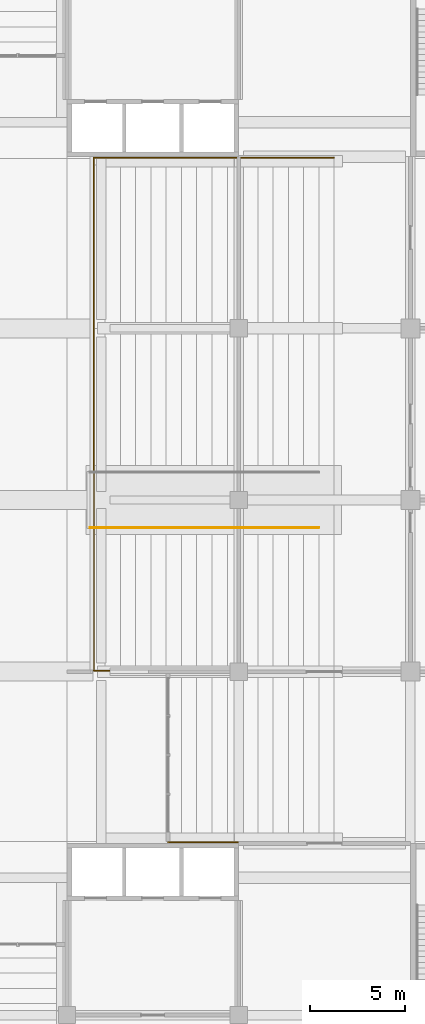
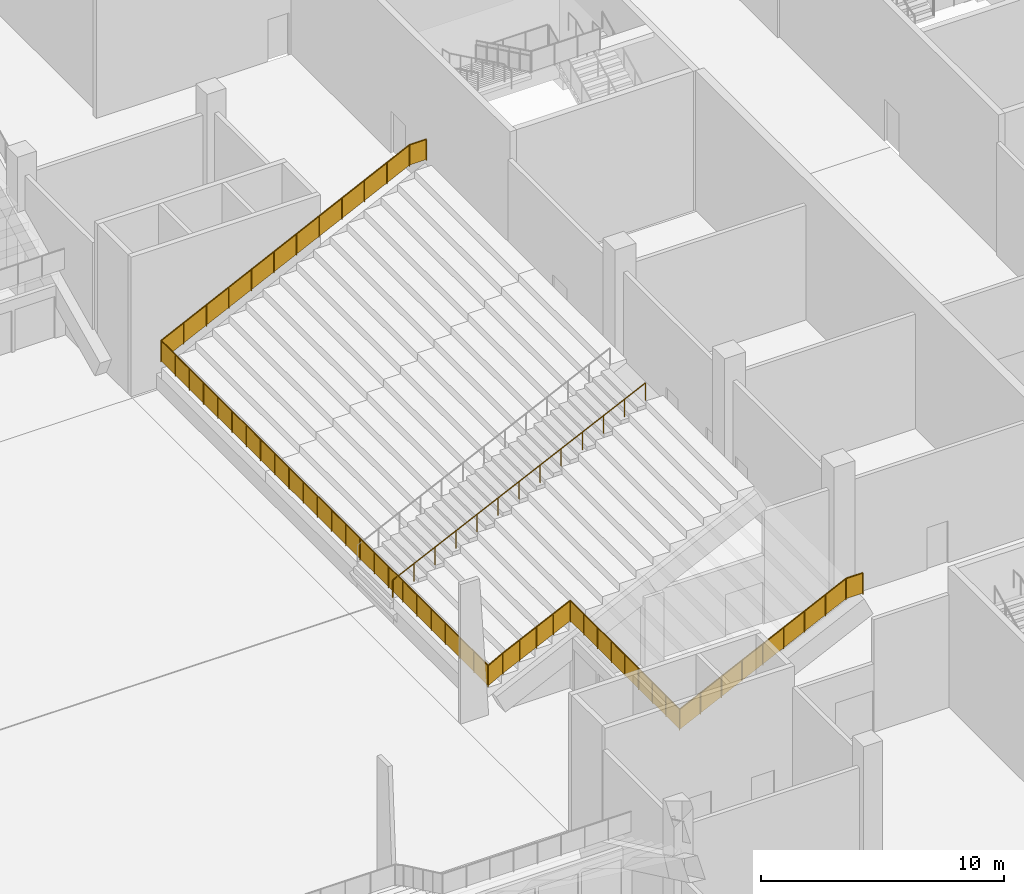
# One storey, part 76 of 92: 2 railings.
"""IFC4 building model written with IfcOpenShell, lengths in metres."""

from ifc_helpers import new_model, si_unit, direction, frame, origin, origin_2d, place, context, subcontext, project, spatial, polyline, circle, outline, extrude, material, type_object, element, save


model = new_model("IFC4")

# Units and contexts
model_context = context("Model", 3, precision=1e-05, world=origin(), true_north=direction((0.0, 1.0)))
body_context = subcontext(model_context, "Body", "Model", "MODEL_VIEW")
ifc_project = project(units=[si_unit("LENGTHUNIT", "METRE"), si_unit("AREAUNIT", "SQUARE_METRE"), si_unit("VOLUMEUNIT", "CUBIC_METRE"), si_unit("PLANEANGLEUNIT", "RADIAN"), si_unit("MASSUNIT", "GRAM", prefix="KILO")], contexts=[model_context])

# Site, building, storey
site_placement = place(None, origin())
site = spatial("IfcSite", under=ifc_project, at=site_placement, CompositionType="ELEMENT")
building_placement = place(site_placement, origin())
building = spatial("IfcBuilding", under=site, at=building_placement, Name="Silverbay Arena", CompositionType="ELEMENT")
storey_placement = place(building_placement, origin())
storey = spatial("IfcBuildingStorey", under=building, at=storey_placement, Name="L00", CompositionType="ELEMENT", Elevation=0.0)

# Railings
ifc_material_1 = material(Name="Stainless steel", Category="steel")
railing_type_1 = type_object("IfcRailingType", Name="Crowd barrier 1100", PredefinedType="GUARDRAIL", material=ifc_material_1)
railing_1_placement = place(storey_placement, frame((176.0, 63.050048828125, 7.0)))
element("IfcRailing", 1, at=railing_1_placement, inside=storey, type_object=railing_type_1, Name="Crowd barrier East stand lower tier", PredefinedType="GUARDRAIL", context=body_context, shape_type="SweptSolid", body=[
    extrude(circle(Radius=0.02392578125, at=origin_2d()), frame((0.0, 0.0, 1.076171875), z_axis=(-1.0, 0.0, 0.0), x_axis=(0.0, -1.0, 0.0)), (0.0, 0.0, 1.0), 0.800048828125),
    extrude(outline(polyline([(-0.008056640625, 0.050048828125), (0.80810546875, 0.050048828125), (0.80810546875, 1.052978515625), (-0.008056640625, 1.052978515625), (-0.008056640625, 0.050048828125)])), frame((0.0, -0.0029296875, 0.0), z_axis=(0.0, 1.0, 0.0), x_axis=(-1.0, 0.0, 0.0)), (0.0, 0.0, 1.0), 0.006103515625),
    extrude(circle(Radius=0.02392578125, at=origin_2d()), frame((-0.800048828125, 0.0, 1.076171875), z_axis=(-0.901162472731, 0.0, -0.433481484889), x_axis=(0.0, -1.0, 0.0)), (0.0, 0.0, 1.0), 8.766357421875),
    extrude(outline(polyline([(-0.008056640625, 0.053955078125), (0.99560546875, -0.428955078125), (0.99560546875, 0.57421875), (-0.008056640625, 1.056884765625), (-0.008056640625, 0.053955078125)])), frame((-0.800048828125, -0.0029296875, 0.0), z_axis=(0.0, 1.0, 0.0), x_axis=(-1.0, 0.0, 0.0)), (0.0, 0.0, 1.0), 0.006103515625),
    extrude(outline(polyline([(-0.008056640625, -0.421142578125), (0.99560546875, -0.90380859375), (0.99560546875, 0.09912109375), (-0.008056640625, 0.581787109375), (-0.008056640625, -0.421142578125)])), frame((-1.78759765625, -0.0029296875, 0.0), z_axis=(0.0, 1.0, 0.0), x_axis=(-1.0, 0.0, 0.0)), (0.0, 0.0, 1.0), 0.006103515625),
    extrude(outline(polyline([(-0.008056640625, -0.896240234375), (0.99560546875, -1.37890625), (0.99560546875, -0.3759765625), (-0.008056640625, 0.10693359375), (-0.008056640625, -0.896240234375)])), frame((-2.77490234375, -0.0029296875, 0.0), z_axis=(0.0, 1.0, 0.0), x_axis=(-1.0, 0.0, 0.0)), (0.0, 0.0, 1.0), 0.006103515625),
    extrude(outline(polyline([(-0.008056640625, -1.37109375), (0.99560546875, -1.853759765625), (0.99560546875, -0.850830078125), (-0.008056640625, -0.3681640625), (-0.008056640625, -1.37109375)])), frame((-3.762451171875, -0.0029296875, 0.0), z_axis=(0.0, 1.0, 0.0), x_axis=(-1.0, 0.0, 0.0)), (0.0, 0.0, 1.0), 0.006103515625),
    extrude(outline(polyline([(-0.008056640625, -1.84619140625), (0.99560546875, -2.328857421875), (0.99560546875, -1.325927734375), (-0.008056640625, -0.84326171875), (-0.008056640625, -1.84619140625)])), frame((-4.75, -0.0029296875, 0.0), z_axis=(0.0, 1.0, 0.0), x_axis=(-1.0, 0.0, 0.0)), (0.0, 0.0, 1.0), 0.006103515625),
    extrude(outline(polyline([(-0.008056640625, -2.3212890625), (0.99560546875, -2.803955078125), (0.99560546875, -1.80078125), (-0.008056640625, -1.318115234375), (-0.008056640625, -2.3212890625)])), frame((-5.737548828125, -0.0029296875, 0.0), z_axis=(0.0, 1.0, 0.0), x_axis=(-1.0, 0.0, 0.0)), (0.0, 0.0, 1.0), 0.006103515625),
    extrude(outline(polyline([(-0.008056640625, -2.796142578125), (0.99560546875, -3.27880859375), (0.99560546875, -2.27587890625), (-0.008056640625, -1.793212890625), (-0.008056640625, -2.796142578125)])), frame((-6.72509765625, -0.0029296875, 0.0), z_axis=(0.0, 1.0, 0.0), x_axis=(-1.0, 0.0, 0.0)), (0.0, 0.0, 1.0), 0.006103515625),
    extrude(outline(polyline([(-0.008056640625, -3.271240234375), (0.99560546875, -3.75390625), (0.99560546875, -2.7509765625), (-0.008056640625, -2.268310546875), (-0.008056640625, -3.271240234375)])), frame((-7.71240234375, -0.0029296875, 0.0), z_axis=(0.0, 1.0, 0.0), x_axis=(-1.0, 0.0, 0.0)), (0.0, 0.0, 1.0), 0.006103515625),
    extrude(circle(Radius=0.02392578125, at=origin_2d()), frame((-8.699951171875, 0.0, -2.72412109375), z_axis=(0.0, 1.0, 0.0), x_axis=(-1.0, 0.0, 0.0)), (0.0, 0.0, 1.0), 9.0),
    extrude(outline(polyline([(-0.008056640625, -3.75), (1.133056640625, -3.75), (1.133056640625, -2.7470703125), (-0.008056640625, -2.7470703125), (-0.008056640625, -3.75)])), frame((-8.702880859375, 0.0, 0.0), z_axis=(1.0, 0.0, 0.0), x_axis=(0.0, 1.0, 0.0)), (0.0, 0.0, 1.0), 0.006103515625),
    extrude(outline(polyline([(-0.008056640625, -3.75), (1.133056640625, -3.75), (1.133056640625, -2.7470703125), (-0.008056640625, -2.7470703125), (-0.008056640625, -3.75)])), frame((-8.702880859375, 1.125, 0.0), z_axis=(1.0, 0.0, 0.0), x_axis=(0.0, 1.0, 0.0)), (0.0, 0.0, 1.0), 0.006103515625),
    extrude(outline(polyline([(-0.008056640625, -3.75), (1.133056640625, -3.75), (1.133056640625, -2.7470703125), (-0.008056640625, -2.7470703125), (-0.008056640625, -3.75)])), frame((-8.702880859375, 2.25, 0.0), z_axis=(1.0, 0.0, 0.0), x_axis=(0.0, 1.0, 0.0)), (0.0, 0.0, 1.0), 0.006103515625),
    extrude(outline(polyline([(-0.008056640625, -3.75), (1.133056640625, -3.75), (1.133056640625, -2.7470703125), (-0.008056640625, -2.7470703125), (-0.008056640625, -3.75)])), frame((-8.702880859375, 3.375, 0.0), z_axis=(1.0, 0.0, 0.0), x_axis=(0.0, 1.0, 0.0)), (0.0, 0.0, 1.0), 0.006103515625),
    extrude(outline(polyline([(-0.008056640625, -3.75), (1.133056640625, -3.75), (1.133056640625, -2.7470703125), (-0.008056640625, -2.7470703125), (-0.008056640625, -3.75)])), frame((-8.702880859375, 4.5, 0.0), z_axis=(1.0, 0.0, 0.0), x_axis=(0.0, 1.0, 0.0)), (0.0, 0.0, 1.0), 0.006103515625),
    extrude(outline(polyline([(-0.008056640625, -3.75), (1.133056640625, -3.75), (1.133056640625, -2.7470703125), (-0.008056640625, -2.7470703125), (-0.008056640625, -3.75)])), frame((-8.702880859375, 5.625, 0.0), z_axis=(1.0, 0.0, 0.0), x_axis=(0.0, 1.0, 0.0)), (0.0, 0.0, 1.0), 0.006103515625),
    extrude(outline(polyline([(-0.008056640625, -3.75), (1.133056640625, -3.75), (1.133056640625, -2.7470703125), (-0.008056640625, -2.7470703125), (-0.008056640625, -3.75)])), frame((-8.702880859375, 6.75, 0.0), z_axis=(1.0, 0.0, 0.0), x_axis=(0.0, 1.0, 0.0)), (0.0, 0.0, 1.0), 0.006103515625),
    extrude(outline(polyline([(-0.008056640625, -3.75), (1.133056640625, -3.75), (1.133056640625, -2.7470703125), (-0.008056640625, -2.7470703125), (-0.008056640625, -3.75)])), frame((-8.702880859375, 7.875, 0.0), z_axis=(1.0, 0.0, 0.0), x_axis=(0.0, 1.0, 0.0)), (0.0, 0.0, 1.0), 0.006103515625),
    extrude(circle(Radius=0.02392578125, at=origin_2d()), frame((-8.699951171875, 9.0, -2.72412109375), z_axis=(-0.903338924758, 0.0, -0.428927484566), x_axis=(0.0, -1.0, 0.0)), (0.0, 0.0, 1.0), 0.8857421875),
    extrude(outline(polyline([(-0.008056640625, -3.746337890625), (0.80810546875, -4.1337890625), (0.80810546875, -3.130615234375), (-0.008056640625, -2.7431640625), (-0.008056640625, -3.746337890625)])), frame((-8.699951171875, 8.9970703125, 0.0), z_axis=(0.0, 1.0, 0.0), x_axis=(-1.0, 0.0, 0.0)), (0.0, 0.0, 1.0), 0.006103515625),
    extrude(circle(Radius=0.02392578125, at=origin_2d()), frame((-9.5, 9.0, -3.10400390625), z_axis=(-0.903232100134, 0.0, -0.429152389353), x_axis=(0.0, -1.0, 0.0)), (0.0, 0.0, 1.0), 0.8857421875),
    extrude(outline(polyline([(-0.008056640625, -4.126220703125), (0.80810546875, -4.513916015625), (0.80810546875, -3.5107421875), (-0.008056640625, -3.123046875), (-0.008056640625, -4.126220703125)])), frame((-9.5, 8.9970703125, 0.0), z_axis=(0.0, 1.0, 0.0), x_axis=(-1.0, 0.0, 0.0)), (0.0, 0.0, 1.0), 0.006103515625),
    extrude(circle(Radius=0.02392578125, at=origin_2d()), frame((-10.300048828125, 9.0, -3.48388671875), z_axis=(-0.903338924758, 0.0, -0.428927484566), x_axis=(0.0, -1.0, 0.0)), (0.0, 0.0, 1.0), 0.8857421875),
    extrude(outline(polyline([(-0.008056640625, -4.50634765625), (0.80810546875, -4.893798828125), (0.80810546875, -3.890625), (-0.008056640625, -3.503173828125), (-0.008056640625, -4.50634765625)])), frame((-10.300048828125, 8.9970703125, 0.0), z_axis=(0.0, 1.0, 0.0), x_axis=(-1.0, 0.0, 0.0)), (0.0, 0.0, 1.0), 0.006103515625),
    extrude(circle(Radius=0.02392578125, at=origin_2d()), frame((-11.10009765625, 9.0, -3.86376953125), z_axis=(-0.903181318322, 0.0, -0.429259252939), x_axis=(0.0, -1.0, 0.0)), (0.0, 0.0, 1.0), 0.885498046875),
    extrude(outline(polyline([(-0.008056640625, -4.88623046875), (0.807861328125, -5.27392578125), (0.807861328125, -4.270751953125), (-0.008056640625, -3.883056640625), (-0.008056640625, -4.88623046875)])), frame((-11.10009765625, 8.9970703125, 0.0), z_axis=(0.0, 1.0, 0.0), x_axis=(-1.0, 0.0, 0.0)), (0.0, 0.0, 1.0), 0.006103515625),
    extrude(circle(Radius=0.02392578125, at=origin_2d()), frame((-11.89990234375, 9.0, -4.244140625), z_axis=(-0.878970893621, 0.0, -0.476875422062), x_axis=(0.0, -1.0, 0.0)), (0.0, 0.0, 1.0), 0.796630859375),
    extrude(outline(polyline([(-0.008056640625, -5.265625), (0.708251953125, -5.654296875), (0.708251953125, -4.6513671875), (-0.008056640625, -4.2626953125), (-0.008056640625, -5.265625)])), frame((-11.89990234375, 8.9970703125, 0.0), z_axis=(0.0, 1.0, 0.0), x_axis=(-1.0, 0.0, 0.0)), (0.0, 0.0, 1.0), 0.006103515625),
    extrude(circle(Radius=0.02392578125, at=origin_2d()), frame((-12.60009765625, 9.0, -4.6240234375), z_axis=(0.0, 1.0, 0.0), x_axis=(-1.0, 0.0, 0.0)), (0.0, 0.0, 1.0), 26.89990234375),
    extrude(outline(polyline([(-0.008056640625, -5.64990234375), (1.177490234375, -5.64990234375), (1.177490234375, -4.64697265625), (-0.008056640625, -4.64697265625), (-0.008056640625, -5.64990234375)])), frame((-12.60302734375, 9.0, 0.0), z_axis=(1.0, 0.0, 0.0), x_axis=(0.0, 1.0, 0.0)), (0.0, 0.0, 1.0), 0.006103515625),
    extrude(outline(polyline([(-0.008056640625, -5.64990234375), (1.177490234375, -5.64990234375), (1.177490234375, -4.64697265625), (-0.008056640625, -4.64697265625), (-0.008056640625, -5.64990234375)])), frame((-12.60302734375, 10.169677734375, 0.0), z_axis=(1.0, 0.0, 0.0), x_axis=(0.0, 1.0, 0.0)), (0.0, 0.0, 1.0), 0.006103515625),
    extrude(outline(polyline([(-0.008056640625, -5.64990234375), (1.177490234375, -5.64990234375), (1.177490234375, -4.64697265625), (-0.008056640625, -4.64697265625), (-0.008056640625, -5.64990234375)])), frame((-12.60302734375, 11.339111328125, 0.0), z_axis=(1.0, 0.0, 0.0), x_axis=(0.0, 1.0, 0.0)), (0.0, 0.0, 1.0), 0.006103515625),
    extrude(outline(polyline([(-0.008056640625, -5.64990234375), (1.177490234375, -5.64990234375), (1.177490234375, -4.64697265625), (-0.008056640625, -4.64697265625), (-0.008056640625, -5.64990234375)])), frame((-12.60302734375, 12.5087890625, 0.0), z_axis=(1.0, 0.0, 0.0), x_axis=(0.0, 1.0, 0.0)), (0.0, 0.0, 1.0), 0.006103515625),
    extrude(outline(polyline([(-0.008056640625, -5.64990234375), (1.177490234375, -5.64990234375), (1.177490234375, -4.64697265625), (-0.008056640625, -4.64697265625), (-0.008056640625, -5.64990234375)])), frame((-12.60302734375, 13.67822265625, 0.0), z_axis=(1.0, 0.0, 0.0), x_axis=(0.0, 1.0, 0.0)), (0.0, 0.0, 1.0), 0.006103515625),
    extrude(outline(polyline([(-0.008056640625, -5.64990234375), (1.177490234375, -5.64990234375), (1.177490234375, -4.64697265625), (-0.008056640625, -4.64697265625), (-0.008056640625, -5.64990234375)])), frame((-12.60302734375, 14.847900390625, 0.0), z_axis=(1.0, 0.0, 0.0), x_axis=(0.0, 1.0, 0.0)), (0.0, 0.0, 1.0), 0.006103515625),
    extrude(outline(polyline([(-0.008056640625, -5.64990234375), (1.177490234375, -5.64990234375), (1.177490234375, -4.64697265625), (-0.008056640625, -4.64697265625), (-0.008056640625, -5.64990234375)])), frame((-12.60302734375, 16.017333984375, 0.0), z_axis=(1.0, 0.0, 0.0), x_axis=(0.0, 1.0, 0.0)), (0.0, 0.0, 1.0), 0.006103515625),
    extrude(outline(polyline([(-0.008056640625, -5.64990234375), (1.177490234375, -5.64990234375), (1.177490234375, -4.64697265625), (-0.008056640625, -4.64697265625), (-0.008056640625, -5.64990234375)])), frame((-12.60302734375, 17.18701171875, 0.0), z_axis=(1.0, 0.0, 0.0), x_axis=(0.0, 1.0, 0.0)), (0.0, 0.0, 1.0), 0.006103515625),
    extrude(outline(polyline([(-0.008056640625, -5.64990234375), (1.177490234375, -5.64990234375), (1.177490234375, -4.64697265625), (-0.008056640625, -4.64697265625), (-0.008056640625, -5.64990234375)])), frame((-12.60302734375, 18.3564453125, 0.0), z_axis=(1.0, 0.0, 0.0), x_axis=(0.0, 1.0, 0.0)), (0.0, 0.0, 1.0), 0.006103515625),
    extrude(outline(polyline([(-0.008056640625, -5.64990234375), (1.177490234375, -5.64990234375), (1.177490234375, -4.64697265625), (-0.008056640625, -4.64697265625), (-0.008056640625, -5.64990234375)])), frame((-12.60302734375, 19.526123046875, 0.0), z_axis=(1.0, 0.0, 0.0), x_axis=(0.0, 1.0, 0.0)), (0.0, 0.0, 1.0), 0.006103515625),
    extrude(outline(polyline([(-0.008056640625, -5.64990234375), (1.177490234375, -5.64990234375), (1.177490234375, -4.64697265625), (-0.008056640625, -4.64697265625), (-0.008056640625, -5.64990234375)])), frame((-12.60302734375, 20.695556640625, 0.0), z_axis=(1.0, 0.0, 0.0), x_axis=(0.0, 1.0, 0.0)), (0.0, 0.0, 1.0), 0.006103515625),
    extrude(outline(polyline([(-0.008056640625, -5.64990234375), (1.177490234375, -5.64990234375), (1.177490234375, -4.64697265625), (-0.008056640625, -4.64697265625), (-0.008056640625, -5.64990234375)])), frame((-12.60302734375, 21.865234375, 0.0), z_axis=(1.0, 0.0, 0.0), x_axis=(0.0, 1.0, 0.0)), (0.0, 0.0, 1.0), 0.006103515625),
    extrude(outline(polyline([(-0.008056640625, -5.64990234375), (1.177490234375, -5.64990234375), (1.177490234375, -4.64697265625), (-0.008056640625, -4.64697265625), (-0.008056640625, -5.64990234375)])), frame((-12.60302734375, 23.03466796875, 0.0), z_axis=(1.0, 0.0, 0.0), x_axis=(0.0, 1.0, 0.0)), (0.0, 0.0, 1.0), 0.006103515625),
    extrude(outline(polyline([(-0.008056640625, -5.64990234375), (1.177490234375, -5.64990234375), (1.177490234375, -4.64697265625), (-0.008056640625, -4.64697265625), (-0.008056640625, -5.64990234375)])), frame((-12.60302734375, 24.204345703125, 0.0), z_axis=(1.0, 0.0, 0.0), x_axis=(0.0, 1.0, 0.0)), (0.0, 0.0, 1.0), 0.006103515625),
    extrude(outline(polyline([(-0.008056640625, -5.64990234375), (1.177490234375, -5.64990234375), (1.177490234375, -4.64697265625), (-0.008056640625, -4.64697265625), (-0.008056640625, -5.64990234375)])), frame((-12.60302734375, 25.373779296875, 0.0), z_axis=(1.0, 0.0, 0.0), x_axis=(0.0, 1.0, 0.0)), (0.0, 0.0, 1.0), 0.006103515625),
    extrude(outline(polyline([(-0.008056640625, -5.64990234375), (1.177490234375, -5.64990234375), (1.177490234375, -4.64697265625), (-0.008056640625, -4.64697265625), (-0.008056640625, -5.64990234375)])), frame((-12.60302734375, 26.54345703125, 0.0), z_axis=(1.0, 0.0, 0.0), x_axis=(0.0, 1.0, 0.0)), (0.0, 0.0, 1.0), 0.006103515625),
    extrude(outline(polyline([(-0.008056640625, -5.64990234375), (1.177490234375, -5.64990234375), (1.177490234375, -4.64697265625), (-0.008056640625, -4.64697265625), (-0.008056640625, -5.64990234375)])), frame((-12.60302734375, 27.712890625, 0.0), z_axis=(1.0, 0.0, 0.0), x_axis=(0.0, 1.0, 0.0)), (0.0, 0.0, 1.0), 0.006103515625),
    extrude(outline(polyline([(-0.008056640625, -5.64990234375), (1.177490234375, -5.64990234375), (1.177490234375, -4.64697265625), (-0.008056640625, -4.64697265625), (-0.008056640625, -5.64990234375)])), frame((-12.60302734375, 28.882568359375, 0.0), z_axis=(1.0, 0.0, 0.0), x_axis=(0.0, 1.0, 0.0)), (0.0, 0.0, 1.0), 0.006103515625),
    extrude(outline(polyline([(-0.008056640625, -5.64990234375), (1.177490234375, -5.64990234375), (1.177490234375, -4.64697265625), (-0.008056640625, -4.64697265625), (-0.008056640625, -5.64990234375)])), frame((-12.60302734375, 30.052001953125, 0.0), z_axis=(1.0, 0.0, 0.0), x_axis=(0.0, 1.0, 0.0)), (0.0, 0.0, 1.0), 0.006103515625),
    extrude(outline(polyline([(-0.008056640625, -5.64990234375), (1.177490234375, -5.64990234375), (1.177490234375, -4.64697265625), (-0.008056640625, -4.64697265625), (-0.008056640625, -5.64990234375)])), frame((-12.60302734375, 31.2216796875, 0.0), z_axis=(1.0, 0.0, 0.0), x_axis=(0.0, 1.0, 0.0)), (0.0, 0.0, 1.0), 0.006103515625),
    extrude(outline(polyline([(-0.008056640625, -5.64990234375), (1.177490234375, -5.64990234375), (1.177490234375, -4.64697265625), (-0.008056640625, -4.64697265625), (-0.008056640625, -5.64990234375)])), frame((-12.60302734375, 32.39111328125, 0.0), z_axis=(1.0, 0.0, 0.0), x_axis=(0.0, 1.0, 0.0)), (0.0, 0.0, 1.0), 0.006103515625),
    extrude(outline(polyline([(-0.008056640625, -5.64990234375), (1.177490234375, -5.64990234375), (1.177490234375, -4.64697265625), (-0.008056640625, -4.64697265625), (-0.008056640625, -5.64990234375)])), frame((-12.60302734375, 33.560791015625, 0.0), z_axis=(1.0, 0.0, 0.0), x_axis=(0.0, 1.0, 0.0)), (0.0, 0.0, 1.0), 0.006103515625),
    extrude(outline(polyline([(-0.008056640625, -5.64990234375), (1.177490234375, -5.64990234375), (1.177490234375, -4.64697265625), (-0.008056640625, -4.64697265625), (-0.008056640625, -5.64990234375)])), frame((-12.60302734375, 34.730224609375, 0.0), z_axis=(1.0, 0.0, 0.0), x_axis=(0.0, 1.0, 0.0)), (0.0, 0.0, 1.0), 0.006103515625),
    extrude(circle(Radius=0.02392578125, at=origin_2d()), frame((-12.60009765625, 35.89990234375, -4.6240234375), z_axis=(0.900450754244, 0.0, 0.434957974041), x_axis=(0.0, 1.0, 0.0)), (0.0, 0.0, 1.0), 13.1044921875),
    extrude(outline(polyline([(-0.008056640625, -5.65380859375), (1.080810546875, -5.1279296875), (1.080810546875, -4.125), (-0.008056640625, -4.65087890625), (-0.008056640625, -5.65380859375)])), frame((-12.60009765625, 35.90283203125, 0.0), z_axis=(0.0, -1.0, 0.0), x_axis=(1.0, 0.0, 0.0)), (0.0, 0.0, 1.0), 0.006103515625),
    extrude(outline(polyline([(-0.008056640625, -5.1357421875), (1.080810546875, -4.609619140625), (1.080810546875, -3.606689453125), (-0.008056640625, -4.132568359375), (-0.008056640625, -5.1357421875)])), frame((-11.52734375, 35.90283203125, 0.0), z_axis=(0.0, -1.0, 0.0), x_axis=(1.0, 0.0, 0.0)), (0.0, 0.0, 1.0), 0.006103515625),
    extrude(outline(polyline([(-0.008056640625, -4.617431640625), (1.080810546875, -4.091552734375), (1.080810546875, -3.088623046875), (-0.008056640625, -3.614501953125), (-0.008056640625, -4.617431640625)])), frame((-10.45458984375, 35.90283203125, 0.0), z_axis=(0.0, -1.0, 0.0), x_axis=(1.0, 0.0, 0.0)), (0.0, 0.0, 1.0), 0.006103515625),
    extrude(outline(polyline([(-0.008056640625, -4.099365234375), (1.080810546875, -3.573486328125), (1.080810546875, -2.5703125), (-0.008056640625, -3.09619140625), (-0.008056640625, -4.099365234375)])), frame((-9.3818359375, 35.90283203125, 0.0), z_axis=(0.0, -1.0, 0.0), x_axis=(1.0, 0.0, 0.0)), (0.0, 0.0, 1.0), 0.006103515625),
    extrude(outline(polyline([(-0.008056640625, -3.5810546875), (1.080810546875, -3.05517578125), (1.080810546875, -2.05224609375), (-0.008056640625, -2.578125), (-0.008056640625, -3.5810546875)])), frame((-8.30908203125, 35.90283203125, 0.0), z_axis=(0.0, -1.0, 0.0), x_axis=(1.0, 0.0, 0.0)), (0.0, 0.0, 1.0), 0.006103515625),
    extrude(outline(polyline([(-0.008056640625, -3.06298828125), (1.080810546875, -2.537109375), (1.080810546875, -1.533935546875), (-0.008056640625, -2.059814453125), (-0.008056640625, -3.06298828125)])), frame((-7.236328125, 35.90283203125, 0.0), z_axis=(0.0, -1.0, 0.0), x_axis=(1.0, 0.0, 0.0)), (0.0, 0.0, 1.0), 0.006103515625),
    extrude(outline(polyline([(-0.008056640625, -2.544677734375), (1.080810546875, -2.018798828125), (1.080810546875, -1.015869140625), (-0.008056640625, -1.541748046875), (-0.008056640625, -2.544677734375)])), frame((-6.163818359375, 35.90283203125, 0.0), z_axis=(0.0, -1.0, 0.0), x_axis=(1.0, 0.0, 0.0)), (0.0, 0.0, 1.0), 0.006103515625),
    extrude(outline(polyline([(-0.008056640625, -2.026611328125), (1.080810546875, -1.500732421875), (1.080810546875, -0.49755859375), (-0.008056640625, -1.023681640625), (-0.008056640625, -2.026611328125)])), frame((-5.091064453125, 35.90283203125, 0.0), z_axis=(0.0, -1.0, 0.0), x_axis=(1.0, 0.0, 0.0)), (0.0, 0.0, 1.0), 0.006103515625),
    extrude(outline(polyline([(-0.008056640625, -1.50830078125), (1.080810546875, -0.982421875), (1.080810546875, 0.0205078125), (-0.008056640625, -0.50537109375), (-0.008056640625, -1.50830078125)])), frame((-4.018310546875, 35.90283203125, 0.0), z_axis=(0.0, -1.0, 0.0), x_axis=(1.0, 0.0, 0.0)), (0.0, 0.0, 1.0), 0.006103515625),
    extrude(outline(polyline([(-0.008056640625, -0.990234375), (1.080810546875, -0.46435546875), (1.080810546875, 0.53857421875), (-0.008056640625, 0.0126953125), (-0.008056640625, -0.990234375)])), frame((-2.945556640625, 35.90283203125, 0.0), z_axis=(0.0, -1.0, 0.0), x_axis=(1.0, 0.0, 0.0)), (0.0, 0.0, 1.0), 0.006103515625),
    extrude(outline(polyline([(-0.008056640625, -0.471923828125), (1.080810546875, 0.053955078125), (1.080810546875, 1.056884765625), (-0.008056640625, 0.531005859375), (-0.008056640625, -0.471923828125)])), frame((-1.872802734375, 35.90283203125, 0.0), z_axis=(0.0, -1.0, 0.0), x_axis=(1.0, 0.0, 0.0)), (0.0, 0.0, 1.0), 0.006103515625),
    extrude(circle(Radius=0.02392578125, at=origin_2d()), frame((-0.800048828125, 35.89990234375, 1.076171875), z_axis=(1.0, 0.0, 0.0), x_axis=(0.0, 1.0, 0.0)), (0.0, 0.0, 1.0), 0.800048828125),
    extrude(outline(polyline([(-0.008056640625, 0.050048828125), (0.80810546875, 0.050048828125), (0.80810546875, 1.052978515625), (-0.008056640625, 1.052978515625), (-0.008056640625, 0.050048828125)])), frame((-0.800048828125, 35.90283203125, 0.0), z_axis=(0.0, -1.0, 0.0), x_axis=(1.0, 0.0, 0.0)), (0.0, 0.0, 1.0), 0.006103515625),
    extrude(circle(Radius=0.02099609375, at=origin_2d()), origin(), (0.0, 0.0, 1.0), 1.052001953125),
    extrude(circle(Radius=0.02099609375, at=origin_2d()), frame((-0.800048828125, 0.0, 0.0)), (0.0, 0.0, 1.0), 1.052001953125),
    extrude(circle(Radius=0.02099609375, at=origin_2d()), frame((-1.78759765625, 0.0, -0.47509765625)), (0.0, 0.0, 1.0), 1.052001953125),
    extrude(circle(Radius=0.02099609375, at=origin_2d()), frame((-2.77490234375, 0.0, -0.949951171875)), (0.0, 0.0, 1.0), 1.052001953125),
    extrude(circle(Radius=0.02099609375, at=origin_2d()), frame((-3.762451171875, 0.0, -1.425048828125)), (0.0, 0.0, 1.0), 1.052001953125),
    extrude(circle(Radius=0.02099609375, at=origin_2d()), frame((-4.75, 0.0, -1.89990234375)), (0.0, 0.0, 1.0), 1.052001953125),
    extrude(circle(Radius=0.02099609375, at=origin_2d()), frame((-5.737548828125, 0.0, -2.375)), (0.0, 0.0, 1.0), 1.052001953125),
    extrude(circle(Radius=0.02099609375, at=origin_2d()), frame((-6.72509765625, 0.0, -2.85009765625)), (0.0, 0.0, 1.0), 1.052001953125),
    extrude(circle(Radius=0.02099609375, at=origin_2d()), frame((-7.71240234375, 0.0, -3.324951171875)), (0.0, 0.0, 1.0), 1.052001953125),
    extrude(circle(Radius=0.02099609375, at=origin_2d()), frame((-8.699951171875, 0.0, -3.800048828125)), (0.0, 0.0, 1.0), 1.052001953125),
    extrude(circle(Radius=0.02099609375, at=origin_2d()), frame((-8.699951171875, 1.125, -3.800048828125)), (0.0, 0.0, 1.0), 1.052001953125),
    extrude(circle(Radius=0.02099609375, at=origin_2d()), frame((-8.699951171875, 2.25, -3.800048828125)), (0.0, 0.0, 1.0), 1.052001953125),
    extrude(circle(Radius=0.02099609375, at=origin_2d()), frame((-8.699951171875, 3.375, -3.800048828125)), (0.0, 0.0, 1.0), 1.052001953125),
    extrude(circle(Radius=0.02099609375, at=origin_2d()), frame((-8.699951171875, 4.5, -3.800048828125)), (0.0, 0.0, 1.0), 1.052001953125),
    extrude(circle(Radius=0.02099609375, at=origin_2d()), frame((-8.699951171875, 5.625, -3.800048828125)), (0.0, 0.0, 1.0), 1.052001953125),
    extrude(circle(Radius=0.02099609375, at=origin_2d()), frame((-8.699951171875, 6.75, -3.800048828125)), (0.0, 0.0, 1.0), 1.052001953125),
    extrude(circle(Radius=0.02099609375, at=origin_2d()), frame((-8.699951171875, 7.875, -3.800048828125)), (0.0, 0.0, 1.0), 1.052001953125),
    extrude(circle(Radius=0.02099609375, at=origin_2d()), frame((-8.699951171875, 9.0, -3.800048828125)), (0.0, 0.0, 1.0), 1.052001953125),
    extrude(circle(Radius=0.02099609375, at=origin_2d()), frame((-9.5, 9.0, -4.179931640625)), (0.0, 0.0, 1.0), 1.052001953125),
    extrude(circle(Radius=0.02099609375, at=origin_2d()), frame((-10.300048828125, 9.0, -4.56005859375)), (0.0, 0.0, 1.0), 1.052001953125),
    extrude(circle(Radius=0.02099609375, at=origin_2d()), frame((-11.10009765625, 9.0, -4.93994140625)), (0.0, 0.0, 1.0), 1.052001953125),
    extrude(circle(Radius=0.02099609375, at=origin_2d()), frame((-11.89990234375, 9.0, -5.320068359375)), (0.0, 0.0, 1.0), 1.052001953125),
    extrude(circle(Radius=0.02099609375, at=origin_2d()), frame((-12.60009765625, 9.0, -5.699951171875)), (0.0, 0.0, 1.0), 1.052001953125),
    extrude(circle(Radius=0.02099609375, at=origin_2d()), frame((-12.60009765625, 10.169677734375, -5.699951171875)), (0.0, 0.0, 1.0), 1.052001953125),
    extrude(circle(Radius=0.02099609375, at=origin_2d()), frame((-12.60009765625, 11.339111328125, -5.699951171875)), (0.0, 0.0, 1.0), 1.052001953125),
    extrude(circle(Radius=0.02099609375, at=origin_2d()), frame((-12.60009765625, 12.5087890625, -5.699951171875)), (0.0, 0.0, 1.0), 1.052001953125),
    extrude(circle(Radius=0.02099609375, at=origin_2d()), frame((-12.60009765625, 13.67822265625, -5.699951171875)), (0.0, 0.0, 1.0), 1.052001953125),
    extrude(circle(Radius=0.02099609375, at=origin_2d()), frame((-12.60009765625, 14.847900390625, -5.699951171875)), (0.0, 0.0, 1.0), 1.052001953125),
    extrude(circle(Radius=0.02099609375, at=origin_2d()), frame((-12.60009765625, 16.017333984375, -5.699951171875)), (0.0, 0.0, 1.0), 1.052001953125),
    extrude(circle(Radius=0.02099609375, at=origin_2d()), frame((-12.60009765625, 17.18701171875, -5.699951171875)), (0.0, 0.0, 1.0), 1.052001953125),
    extrude(circle(Radius=0.02099609375, at=origin_2d()), frame((-12.60009765625, 18.3564453125, -5.699951171875)), (0.0, 0.0, 1.0), 1.052001953125),
    extrude(circle(Radius=0.02099609375, at=origin_2d()), frame((-12.60009765625, 19.526123046875, -5.699951171875)), (0.0, 0.0, 1.0), 1.052001953125),
    extrude(circle(Radius=0.02099609375, at=origin_2d()), frame((-12.60009765625, 20.695556640625, -5.699951171875)), (0.0, 0.0, 1.0), 1.052001953125),
    extrude(circle(Radius=0.02099609375, at=origin_2d()), frame((-12.60009765625, 21.865234375, -5.699951171875)), (0.0, 0.0, 1.0), 1.052001953125),
    extrude(circle(Radius=0.02099609375, at=origin_2d()), frame((-12.60009765625, 23.03466796875, -5.699951171875)), (0.0, 0.0, 1.0), 1.052001953125),
    extrude(circle(Radius=0.02099609375, at=origin_2d()), frame((-12.60009765625, 24.204345703125, -5.699951171875)), (0.0, 0.0, 1.0), 1.052001953125),
    extrude(circle(Radius=0.02099609375, at=origin_2d()), frame((-12.60009765625, 25.373779296875, -5.699951171875)), (0.0, 0.0, 1.0), 1.052001953125),
    extrude(circle(Radius=0.02099609375, at=origin_2d()), frame((-12.60009765625, 26.54345703125, -5.699951171875)), (0.0, 0.0, 1.0), 1.052001953125),
    extrude(circle(Radius=0.02099609375, at=origin_2d()), frame((-12.60009765625, 27.712890625, -5.699951171875)), (0.0, 0.0, 1.0), 1.052001953125),
    extrude(circle(Radius=0.02099609375, at=origin_2d()), frame((-12.60009765625, 28.882568359375, -5.699951171875)), (0.0, 0.0, 1.0), 1.052001953125),
    extrude(circle(Radius=0.02099609375, at=origin_2d()), frame((-12.60009765625, 30.052001953125, -5.699951171875)), (0.0, 0.0, 1.0), 1.052001953125),
    extrude(circle(Radius=0.02099609375, at=origin_2d()), frame((-12.60009765625, 31.2216796875, -5.699951171875)), (0.0, 0.0, 1.0), 1.052001953125),
    extrude(circle(Radius=0.02099609375, at=origin_2d()), frame((-12.60009765625, 32.39111328125, -5.699951171875)), (0.0, 0.0, 1.0), 1.052001953125),
    extrude(circle(Radius=0.02099609375, at=origin_2d()), frame((-12.60009765625, 33.560791015625, -5.699951171875)), (0.0, 0.0, 1.0), 1.052001953125),
    extrude(circle(Radius=0.02099609375, at=origin_2d()), frame((-12.60009765625, 34.730224609375, -5.699951171875)), (0.0, 0.0, 1.0), 1.052001953125),
    extrude(circle(Radius=0.02099609375, at=origin_2d()), frame((-12.60009765625, 35.89990234375, -5.699951171875)), (0.0, 0.0, 1.0), 1.052001953125),
    extrude(circle(Radius=0.02099609375, at=origin_2d()), frame((-11.52734375, 35.89990234375, -5.181884765625)), (0.0, 0.0, 1.0), 1.052001953125),
    extrude(circle(Radius=0.02099609375, at=origin_2d()), frame((-10.45458984375, 35.89990234375, -4.66357421875)), (0.0, 0.0, 1.0), 1.052001953125),
    extrude(circle(Radius=0.02099609375, at=origin_2d()), frame((-9.3818359375, 35.89990234375, -4.1455078125)), (0.0, 0.0, 1.0), 1.052001953125),
    extrude(circle(Radius=0.02099609375, at=origin_2d()), frame((-8.30908203125, 35.89990234375, -3.627197265625)), (0.0, 0.0, 1.0), 1.052001953125),
    extrude(circle(Radius=0.02099609375, at=origin_2d()), frame((-7.236328125, 35.89990234375, -3.109130859375)), (0.0, 0.0, 1.0), 1.052001953125),
    extrude(circle(Radius=0.02099609375, at=origin_2d()), frame((-6.163818359375, 35.89990234375, -2.5908203125)), (0.0, 0.0, 1.0), 1.052001953125),
    extrude(circle(Radius=0.02099609375, at=origin_2d()), frame((-5.091064453125, 35.89990234375, -2.07275390625)), (0.0, 0.0, 1.0), 1.052001953125),
    extrude(circle(Radius=0.02099609375, at=origin_2d()), frame((-4.018310546875, 35.89990234375, -1.554443359375)), (0.0, 0.0, 1.0), 1.052001953125),
    extrude(circle(Radius=0.02099609375, at=origin_2d()), frame((-2.945556640625, 35.89990234375, -1.036376953125)), (0.0, 0.0, 1.0), 1.052001953125),
    extrude(circle(Radius=0.02099609375, at=origin_2d()), frame((-1.872802734375, 35.89990234375, -0.51806640625)), (0.0, 0.0, 1.0), 1.052001953125),
    extrude(circle(Radius=0.02099609375, at=origin_2d()), frame((-0.800048828125, 35.89990234375, 0.0)), (0.0, 0.0, 1.0), 1.052001953125),
    extrude(circle(Radius=0.02099609375, at=origin_2d()), frame((0.0, 35.89990234375, 0.0)), (0.0, 0.0, 1.0), 1.052001953125),
])
ifc_material_2 = material(Name="Stainless steel", Category="steel")
railing_type_2 = type_object("IfcRailingType", Name="Stair handrail 900", PredefinedType="HANDRAIL", material=ifc_material_2)
railing_2_placement = place(storey_placement, frame((163.199951171875, 79.550048828125, 1.300048828125)))
element("IfcRailing", 2, at=railing_2_placement, inside=storey, type_object=railing_type_2, Name="Vomitory stair V11 handrail left", PredefinedType="HANDRAIL", context=body_context, shape_type="SweptSolid", body=[
    extrude(circle(Radius=0.02392578125, at=origin_2d()), frame((0.0, 0.0, 0.8759765625), z_axis=(0.903278928798, 0.0, 0.429053815727), x_axis=(0.0, 1.0, 0.0)), (0.0, 0.0, 1.0), 13.284912109375),
    extrude(circle(Radius=0.02099609375, at=origin_2d()), origin(), (0.0, 0.0, 1.0), 0.851806640625),
    extrude(circle(Radius=0.02099609375, at=origin_2d()), frame((1.0, 0.0, 0.47509765625)), (0.0, 0.0, 1.0), 0.851806640625),
    extrude(circle(Radius=0.02099609375, at=origin_2d()), frame((2.0, 0.0, 0.949951171875)), (0.0, 0.0, 1.0), 0.851806640625),
    extrude(circle(Radius=0.02099609375, at=origin_2d()), frame((3.0, 0.0, 1.425048828125)), (0.0, 0.0, 1.0), 0.851806640625),
    extrude(circle(Radius=0.02099609375, at=origin_2d()), frame((4.0, 0.0, 1.89990234375)), (0.0, 0.0, 1.0), 0.851806640625),
    extrude(circle(Radius=0.02099609375, at=origin_2d()), frame((5.0, 0.0, 2.375)), (0.0, 0.0, 1.0), 0.851806640625),
    extrude(circle(Radius=0.02099609375, at=origin_2d()), frame((6.0, 0.0, 2.85009765625)), (0.0, 0.0, 1.0), 0.851806640625),
    extrude(circle(Radius=0.02099609375, at=origin_2d()), frame((7.0, 0.0, 3.324951171875)), (0.0, 0.0, 1.0), 0.851806640625),
    extrude(circle(Radius=0.02099609375, at=origin_2d()), frame((8.0, 0.0, 3.800048828125)), (0.0, 0.0, 1.0), 0.851806640625),
    extrude(circle(Radius=0.02099609375, at=origin_2d()), frame((9.0, 0.0, 4.27490234375)), (0.0, 0.0, 1.0), 0.851806640625),
    extrude(circle(Radius=0.02099609375, at=origin_2d()), frame((10.0, 0.0, 4.75)), (0.0, 0.0, 1.0), 0.851806640625),
    extrude(circle(Radius=0.02099609375, at=origin_2d()), frame((11.0, 0.0, 5.224853515625)), (0.0, 0.0, 1.0), 0.851806640625),
    extrude(circle(Radius=0.02099609375, at=origin_2d()), frame((12.0, 0.0, 5.699951171875)), (0.0, 0.0, 1.0), 0.851806640625),
])

save(model, "model.ifc")
